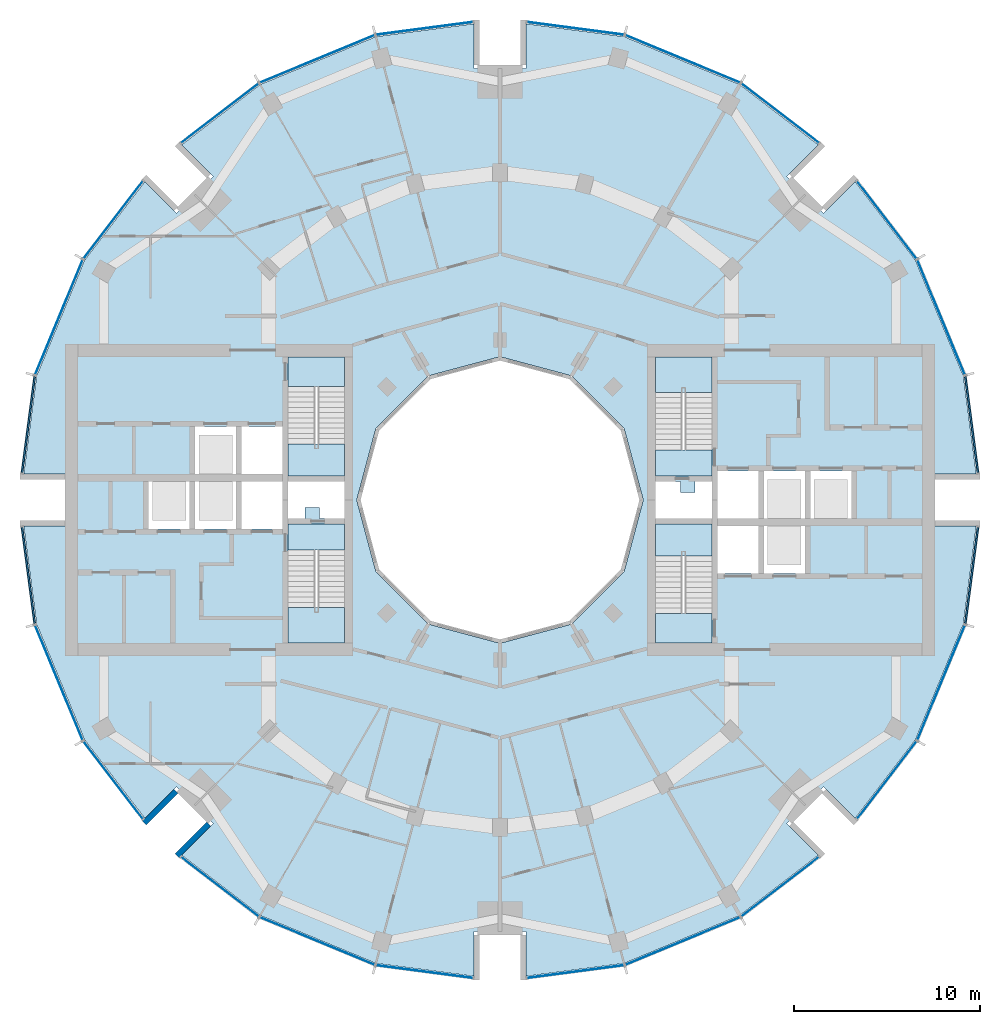
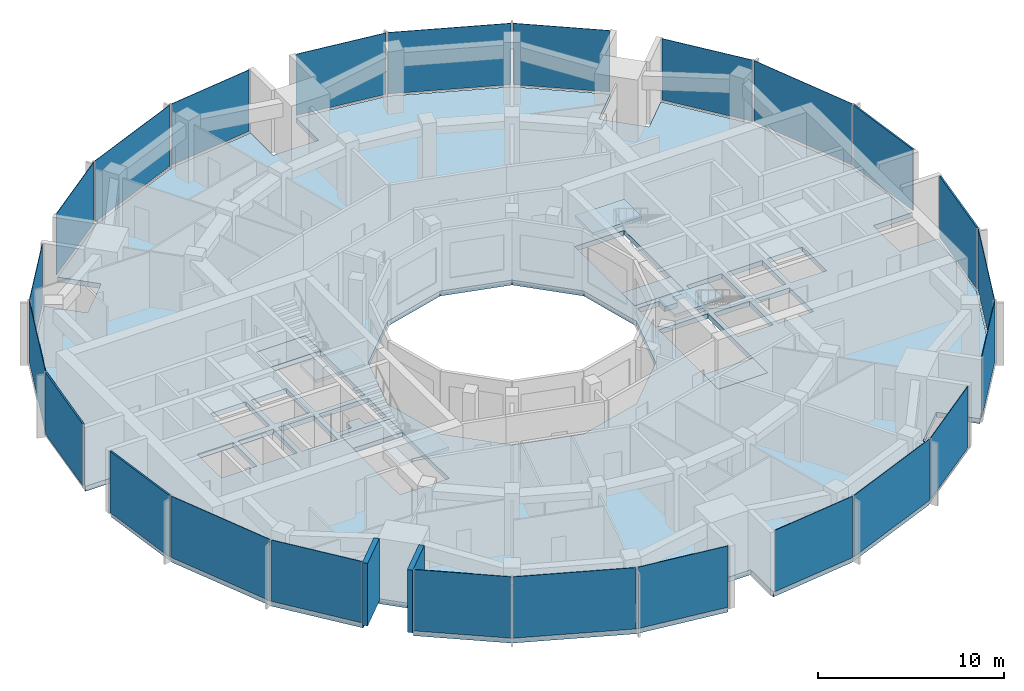
# One storey, part 7 of 15: 24 plates, 9 slabs, 2 walls, 28 elements without a shape of their own.
"""IFC4 building model written with IfcOpenShell, lengths in metres."""

from ifc_helpers import new_model, si_unit, direction, frame, frame_2d, origin, origin_2d, place, context, subcontext, project, spatial, polyline, rectangle, outline, extrude, material, layer, layer_set, type_object, element, aggregate, save


model = new_model("IFC4")

# Units and contexts
model_context = context("Model", 3, precision=1e-05, world=origin(), true_north=direction((0.0, 1.0)))
body_context = subcontext(model_context, "Body", "Model", "MODEL_VIEW")
ifc_project = project(units=[si_unit("LENGTHUNIT", "METRE"), si_unit("AREAUNIT", "SQUARE_METRE"), si_unit("VOLUMEUNIT", "CUBIC_METRE"), si_unit("PLANEANGLEUNIT", "RADIAN"), si_unit("MASSUNIT", "GRAM", prefix="KILO")], contexts=[model_context])

# Site, building, storey
site_placement = place(None, origin())
site = spatial("IfcSite", under=ifc_project, at=site_placement, CompositionType="ELEMENT")
building_placement = place(site_placement, origin())
building = spatial("IfcBuilding", under=site, at=building_placement, Name="Torre Brocal", CompositionType="ELEMENT")
storey_placement = place(building_placement, frame((0.0, 0.0, 161.800048828125)))
storey = spatial("IfcBuildingStorey", under=building, at=storey_placement, Name="L37", CompositionType="ELEMENT", Elevation=161.800048828125)

# Curtain wall, plate
ifc_material_1 = material(Name="Aluminium and glass", Category="aluminium")
ifc_layer_1 = layer(ifc_material_1, 0.199951171875)
ifc_layer_set_1 = layer_set([ifc_layer_1], Name="Aluminium and glass")
curtain_wall_type_1 = type_object("IfcCurtainWallType", Name="CW-1 CURTAIN WALL 4100 HIGH", PredefinedType="NOTDEFINED", material=ifc_layer_set_1)
curtain_wall_1_placement = place(storey_placement, origin())
curtain_wall_1 = element("IfcCurtainWall", 1, at=curtain_wall_1_placement, inside=storey, type_object=curtain_wall_type_1, Name="CW-1 RUN 2", PredefinedType="NOTDEFINED")
ifc_material_2 = material(Name="Glass, dark tinted laminated", Category="glass")
ifc_layer_2 = layer(ifc_material_2, 0.031982421875)
ifc_layer_set_2 = layer_set([ifc_layer_2], Name="Glass, dark tinted laminated")
plate_type_1 = type_object("IfcPlateType", Name="CW-1 GLASS PANEL 32", PredefinedType="CURTAIN_PANEL", material=ifc_layer_set_2)
plate_1_placement = place(storey_placement, frame((103.722900390625, 84.826416015625, 0.079833984375), z_axis=(0.0, 0.0, 1.0), x_axis=(-0.382683432333, 0.923879532525, 0.0)))
plate_1 = element("IfcPlate", 2, at=plate_1_placement, type_object=plate_type_1, Name="CW1-4 panel 1.1", PredefinedType="CURTAIN_PANEL", context=body_context, shape_type="SweptSolid", body=[
    extrude(rectangle(XDim=6.64111328125, YDim=0.031982421875, at=origin_2d()), origin(), (0.0, 0.0, 1.0), 4.02001953125),
])
aggregate(curtain_wall_1, [plate_1])

curtain_wall_2_placement = place(storey_placement, origin())
curtain_wall_2 = element("IfcCurtainWall", 3, at=curtain_wall_2_placement, inside=storey, type_object=curtain_wall_type_1, Name="CW-1 RUN 3", PredefinedType="NOTDEFINED")
plate_2_placement = place(storey_placement, frame((100.80126953125, 90.0712890625, 0.079833984375), z_axis=(0.0, 0.0, 1.0), x_axis=(-0.60876142905, 0.793353340259, 0.0)))
plate_2 = element("IfcPlate", 4, at=plate_2_placement, type_object=plate_type_1, Name="CW1-4 panel 1.1", PredefinedType="CURTAIN_PANEL", context=body_context, shape_type="SweptSolid", body=[
    extrude(rectangle(XDim=5.22900390625, YDim=0.031982421875, at=origin_2d()), origin(), (0.0, 0.0, 1.0), 4.02001953125),
])
aggregate(curtain_wall_2, [plate_2])

curtain_wall_3_placement = place(storey_placement, origin())
curtain_wall_3 = element("IfcCurtainWall", 5, at=curtain_wall_3_placement, inside=storey, type_object=curtain_wall_type_1, Name="CW-1 RUN 4", PredefinedType="NOTDEFINED")
plate_3_placement = place(storey_placement, frame((95.0712890625, 95.80126953125, 0.079833984375), z_axis=(0.0, 0.0, 1.0), x_axis=(-0.793353340259, 0.60876142905, 0.0)))
plate_3 = element("IfcPlate", 6, at=plate_3_placement, type_object=plate_type_1, Name="CW1-4 panel 1.1", PredefinedType="CURTAIN_PANEL", context=body_context, shape_type="SweptSolid", body=[
    extrude(rectangle(XDim=5.22900390625, YDim=0.031982421875, at=origin_2d()), origin(), (0.0, 0.0, 1.0), 4.02001953125),
])
aggregate(curtain_wall_3, [plate_3])

curtain_wall_4_placement = place(storey_placement, origin())
curtain_wall_4 = element("IfcCurtainWall", 7, at=curtain_wall_4_placement, inside=storey, type_object=curtain_wall_type_1, Name="CW-1 RUN 5", PredefinedType="NOTDEFINED")
plate_4_placement = place(storey_placement, frame((89.826416015625, 98.722900390625, 0.079833984375), z_axis=(0.0, 0.0, 1.0), x_axis=(-0.923879532525, 0.382683432333, 0.0)))
plate_4 = element("IfcPlate", 8, at=plate_4_placement, type_object=plate_type_1, Name="CW1-4 panel 1.1", PredefinedType="CURTAIN_PANEL", context=body_context, shape_type="SweptSolid", body=[
    extrude(rectangle(XDim=6.64111328125, YDim=0.031982421875, at=origin_2d()), origin(), (0.0, 0.0, 1.0), 4.02001953125),
])
aggregate(curtain_wall_4, [plate_4])

curtain_wall_5_placement = place(storey_placement, origin())
curtain_wall_5 = element("IfcCurtainWall", 9, at=curtain_wall_5_placement, inside=storey, type_object=curtain_wall_type_1, Name="CW-1 RUN 6", PredefinedType="NOTDEFINED")
plate_5_placement = place(storey_placement, frame((84.051513671875, 100.36572265625, 0.079833984375), z_axis=(0.0, 0.0, 1.0), x_axis=(-0.991444861374, 0.13052619222, 0.0)))
plate_5 = element("IfcPlate", 10, at=plate_5_placement, type_object=plate_type_1, Name="CW1-4 panel 1.1", PredefinedType="CURTAIN_PANEL", context=body_context, shape_type="SweptSolid", body=[
    extrude(rectangle(XDim=5.22900390625, YDim=0.031982421875, at=origin_2d()), origin(), (0.0, 0.0, 1.0), 4.02001953125),
])
aggregate(curtain_wall_5, [plate_5])

curtain_wall_6_placement = place(storey_placement, origin())
curtain_wall_6 = element("IfcCurtainWall", 11, at=curtain_wall_6_placement, inside=storey, type_object=curtain_wall_type_1, Name="CW-1 RUN 7", PredefinedType="NOTDEFINED")
plate_6_placement = place(storey_placement, frame((75.948486328125, 100.36572265625, 0.079833984375), z_axis=(0.0, 0.0, 1.0), x_axis=(-0.991444861374, -0.13052619222, 0.0)))
plate_6 = element("IfcPlate", 12, at=plate_6_placement, type_object=plate_type_1, Name="CW1-4 panel 1.1", PredefinedType="CURTAIN_PANEL", context=body_context, shape_type="SweptSolid", body=[
    extrude(rectangle(XDim=5.22900390625, YDim=0.031982421875, at=origin_2d()), origin(), (0.0, 0.0, 1.0), 4.02001953125),
])
aggregate(curtain_wall_6, [plate_6])

curtain_wall_7_placement = place(storey_placement, origin())
curtain_wall_7 = element("IfcCurtainWall", 13, at=curtain_wall_7_placement, inside=storey, type_object=curtain_wall_type_1, Name="CW-1 RUN 8", PredefinedType="NOTDEFINED")
plate_7_placement = place(storey_placement, frame((70.173583984375, 98.722900390625, 0.079833984375), z_axis=(0.0, 0.0, 1.0), x_axis=(-0.923879532525, -0.382683432333, 0.0)))
plate_7 = element("IfcPlate", 14, at=plate_7_placement, type_object=plate_type_1, Name="CW1-4 panel 1.1", PredefinedType="CURTAIN_PANEL", context=body_context, shape_type="SweptSolid", body=[
    extrude(rectangle(XDim=6.64111328125, YDim=0.031982421875, at=origin_2d()), origin(), (0.0, 0.0, 1.0), 4.02001953125),
])
aggregate(curtain_wall_7, [plate_7])

curtain_wall_8_placement = place(storey_placement, origin())
curtain_wall_8 = element("IfcCurtainWall", 15, at=curtain_wall_8_placement, inside=storey, type_object=curtain_wall_type_1, Name="CW-1 RUN 9", PredefinedType="NOTDEFINED")
plate_8_placement = place(storey_placement, frame((64.9287109375, 95.80126953125, 0.079833984375), z_axis=(0.0, 0.0, 1.0), x_axis=(-0.793353340259, -0.60876142905, 0.0)))
plate_8 = element("IfcPlate", 16, at=plate_8_placement, type_object=plate_type_1, Name="CW1-4 panel 1.1", PredefinedType="CURTAIN_PANEL", context=body_context, shape_type="SweptSolid", body=[
    extrude(rectangle(XDim=5.22900390625, YDim=0.031982421875, at=origin_2d()), origin(), (0.0, 0.0, 1.0), 4.02001953125),
])
aggregate(curtain_wall_8, [plate_8])

curtain_wall_9_placement = place(storey_placement, origin())
curtain_wall_9 = element("IfcCurtainWall", 17, at=curtain_wall_9_placement, inside=storey, type_object=curtain_wall_type_1, Name="CW-1 RUN 10", PredefinedType="NOTDEFINED")
plate_9_placement = place(storey_placement, frame((59.19873046875, 90.0712890625, 0.079833984375), z_axis=(0.0, 0.0, 1.0), x_axis=(-0.60876142905, -0.793353340259, 0.0)))
plate_9 = element("IfcPlate", 18, at=plate_9_placement, type_object=plate_type_1, Name="CW1-4 panel 1.1", PredefinedType="CURTAIN_PANEL", context=body_context, shape_type="SweptSolid", body=[
    extrude(rectangle(XDim=5.22900390625, YDim=0.031982421875, at=origin_2d()), origin(), (0.0, 0.0, 1.0), 4.02001953125),
])
aggregate(curtain_wall_9, [plate_9])

curtain_wall_10_placement = place(storey_placement, origin())
curtain_wall_10 = element("IfcCurtainWall", 19, at=curtain_wall_10_placement, inside=storey, type_object=curtain_wall_type_1, Name="CW-1 RUN 11", PredefinedType="NOTDEFINED")
plate_10_placement = place(storey_placement, frame((56.277099609375, 84.826416015625, 0.079833984375), z_axis=(0.0, 0.0, 1.0), x_axis=(-0.382683432333, -0.923879532525, 0.0)))
plate_10 = element("IfcPlate", 20, at=plate_10_placement, type_object=plate_type_1, Name="CW1-4 panel 1.1", PredefinedType="CURTAIN_PANEL", context=body_context, shape_type="SweptSolid", body=[
    extrude(rectangle(XDim=6.64111328125, YDim=0.031982421875, at=origin_2d()), origin(), (0.0, 0.0, 1.0), 4.02001953125),
])
aggregate(curtain_wall_10, [plate_10])

curtain_wall_11_placement = place(storey_placement, origin())
curtain_wall_11 = element("IfcCurtainWall", 21, at=curtain_wall_11_placement, inside=storey, type_object=curtain_wall_type_1, Name="CW-1 RUN 14", PredefinedType="NOTDEFINED")
plate_11_placement = place(storey_placement, frame((56.277099609375, 65.173583984375, 0.079833984375), z_axis=(0.0, 0.0, 1.0), x_axis=(0.382683432333, -0.923879532525, 0.0)))
plate_11 = element("IfcPlate", 22, at=plate_11_placement, type_object=plate_type_1, Name="CW1-4 panel 1.1", PredefinedType="CURTAIN_PANEL", context=body_context, shape_type="SweptSolid", body=[
    extrude(rectangle(XDim=6.64111328125, YDim=0.031982421875, at=origin_2d()), origin(), (0.0, 0.0, 1.0), 4.02001953125),
])
aggregate(curtain_wall_11, [plate_11])

curtain_wall_12_placement = place(storey_placement, origin())
curtain_wall_12 = element("IfcCurtainWall", 23, at=curtain_wall_12_placement, inside=storey, type_object=curtain_wall_type_1, Name="CW-1 RUN 15", PredefinedType="NOTDEFINED")
plate_12_placement = place(storey_placement, frame((59.19873046875, 59.9287109375, 0.079833984375), z_axis=(0.0, 0.0, 1.0), x_axis=(0.60876142905, -0.793353340259, 0.0)))
plate_12 = element("IfcPlate", 24, at=plate_12_placement, type_object=plate_type_1, Name="CW1-4 panel 1.1", PredefinedType="CURTAIN_PANEL", context=body_context, shape_type="SweptSolid", body=[
    extrude(rectangle(XDim=5.22900390625, YDim=0.031982421875, at=origin_2d()), origin(), (0.0, 0.0, 1.0), 4.02001953125),
])
aggregate(curtain_wall_12, [plate_12])

curtain_wall_13_placement = place(storey_placement, origin())
curtain_wall_13 = element("IfcCurtainWall", 25, at=curtain_wall_13_placement, inside=storey, type_object=curtain_wall_type_1, Name="CW-1 RUN 16", PredefinedType="NOTDEFINED")
plate_13_placement = place(storey_placement, frame((64.9287109375, 54.19873046875, 0.079833984375), z_axis=(0.0, 0.0, 1.0), x_axis=(0.793353340259, -0.60876142905, 0.0)))
plate_13 = element("IfcPlate", 26, at=plate_13_placement, type_object=plate_type_1, Name="CW1-4 panel 1.1", PredefinedType="CURTAIN_PANEL", context=body_context, shape_type="SweptSolid", body=[
    extrude(rectangle(XDim=5.22900390625, YDim=0.031982421875, at=origin_2d()), origin(), (0.0, 0.0, 1.0), 4.02001953125),
])
aggregate(curtain_wall_13, [plate_13])

curtain_wall_14_placement = place(storey_placement, origin())
curtain_wall_14 = element("IfcCurtainWall", 27, at=curtain_wall_14_placement, inside=storey, type_object=curtain_wall_type_1, Name="CW-1 RUN 17", PredefinedType="NOTDEFINED")
plate_14_placement = place(storey_placement, frame((70.173583984375, 51.277099609375, 0.079833984375), z_axis=(0.0, 0.0, 1.0), x_axis=(0.923879532525, -0.382683432333, 0.0)))
plate_14 = element("IfcPlate", 28, at=plate_14_placement, type_object=plate_type_1, Name="CW1-4 panel 1.1", PredefinedType="CURTAIN_PANEL", context=body_context, shape_type="SweptSolid", body=[
    extrude(rectangle(XDim=6.64111328125, YDim=0.031982421875, at=origin_2d()), origin(), (0.0, 0.0, 1.0), 4.02001953125),
])
aggregate(curtain_wall_14, [plate_14])

curtain_wall_15_placement = place(storey_placement, origin())
curtain_wall_15 = element("IfcCurtainWall", 29, at=curtain_wall_15_placement, inside=storey, type_object=curtain_wall_type_1, Name="CW-1 RUN 18", PredefinedType="NOTDEFINED")
plate_15_placement = place(storey_placement, frame((75.948486328125, 49.63427734375, 0.079833984375), z_axis=(0.0, 0.0, 1.0), x_axis=(0.991444861374, -0.13052619222, 0.0)))
plate_15 = element("IfcPlate", 30, at=plate_15_placement, type_object=plate_type_1, Name="CW1-4 panel 1.1", PredefinedType="CURTAIN_PANEL", context=body_context, shape_type="SweptSolid", body=[
    extrude(rectangle(XDim=5.22900390625, YDim=0.031982421875, at=origin_2d()), origin(), (0.0, 0.0, 1.0), 4.02001953125),
])
aggregate(curtain_wall_15, [plate_15])

curtain_wall_16_placement = place(storey_placement, origin())
curtain_wall_16 = element("IfcCurtainWall", 31, at=curtain_wall_16_placement, inside=storey, type_object=curtain_wall_type_1, Name="CW-1 RUN 19", PredefinedType="NOTDEFINED")
plate_16_placement = place(storey_placement, frame((84.051513671875, 49.63427734375, 0.079833984375), z_axis=(0.0, 0.0, 1.0), x_axis=(0.991444861374, 0.13052619222, 0.0)))
plate_16 = element("IfcPlate", 32, at=plate_16_placement, type_object=plate_type_1, Name="CW1-4 panel 1.1", PredefinedType="CURTAIN_PANEL", context=body_context, shape_type="SweptSolid", body=[
    extrude(rectangle(XDim=5.22900390625, YDim=0.031982421875, at=origin_2d()), origin(), (0.0, 0.0, 1.0), 4.02001953125),
])
aggregate(curtain_wall_16, [plate_16])

curtain_wall_17_placement = place(storey_placement, origin())
curtain_wall_17 = element("IfcCurtainWall", 33, at=curtain_wall_17_placement, inside=storey, type_object=curtain_wall_type_1, Name="CW-1 RUN 20", PredefinedType="NOTDEFINED")
plate_17_placement = place(storey_placement, frame((89.826416015625, 51.277099609375, 0.079833984375), z_axis=(0.0, 0.0, 1.0), x_axis=(0.923879532525, 0.382683432333, 0.0)))
plate_17 = element("IfcPlate", 34, at=plate_17_placement, type_object=plate_type_1, Name="CW1-4 panel 1.1", PredefinedType="CURTAIN_PANEL", context=body_context, shape_type="SweptSolid", body=[
    extrude(rectangle(XDim=6.64111328125, YDim=0.031982421875, at=origin_2d()), origin(), (0.0, 0.0, 1.0), 4.02001953125),
])
aggregate(curtain_wall_17, [plate_17])

curtain_wall_18_placement = place(storey_placement, origin())
curtain_wall_18 = element("IfcCurtainWall", 35, at=curtain_wall_18_placement, inside=storey, type_object=curtain_wall_type_1, Name="CW-1 RUN 21", PredefinedType="NOTDEFINED")
plate_18_placement = place(storey_placement, frame((95.0712890625, 54.19873046875, 0.079833984375), z_axis=(0.0, 0.0, 1.0), x_axis=(0.793353340259, 0.60876142905, 0.0)))
plate_18 = element("IfcPlate", 36, at=plate_18_placement, type_object=plate_type_1, Name="CW1-4 panel 1.1", PredefinedType="CURTAIN_PANEL", context=body_context, shape_type="SweptSolid", body=[
    extrude(rectangle(XDim=5.22900390625, YDim=0.031982421875, at=origin_2d()), origin(), (0.0, 0.0, 1.0), 4.02001953125),
])
aggregate(curtain_wall_18, [plate_18])

curtain_wall_19_placement = place(storey_placement, origin())
curtain_wall_19 = element("IfcCurtainWall", 37, at=curtain_wall_19_placement, inside=storey, type_object=curtain_wall_type_1, Name="CW-1 RUN 22", PredefinedType="NOTDEFINED")
plate_19_placement = place(storey_placement, frame((100.80126953125, 59.9287109375, 0.079833984375), z_axis=(0.0, 0.0, 1.0), x_axis=(0.60876142905, 0.793353340259, 0.0)))
plate_19 = element("IfcPlate", 38, at=plate_19_placement, type_object=plate_type_1, Name="CW1-4 panel 1.1", PredefinedType="CURTAIN_PANEL", context=body_context, shape_type="SweptSolid", body=[
    extrude(rectangle(XDim=5.22900390625, YDim=0.031982421875, at=origin_2d()), origin(), (0.0, 0.0, 1.0), 4.02001953125),
])
aggregate(curtain_wall_19, [plate_19])

curtain_wall_20_placement = place(storey_placement, origin())
curtain_wall_20 = element("IfcCurtainWall", 39, at=curtain_wall_20_placement, inside=storey, type_object=curtain_wall_type_1, Name="CW-1 RUN 23", PredefinedType="NOTDEFINED")
plate_20_placement = place(storey_placement, frame((103.722900390625, 65.173583984375, 0.079833984375), z_axis=(0.0, 0.0, 1.0), x_axis=(0.382683432333, 0.923879532525, 0.0)))
plate_20 = element("IfcPlate", 40, at=plate_20_placement, type_object=plate_type_1, Name="CW1-4 panel 1.1", PredefinedType="CURTAIN_PANEL", context=body_context, shape_type="SweptSolid", body=[
    extrude(rectangle(XDim=6.64111328125, YDim=0.031982421875, at=origin_2d()), origin(), (0.0, 0.0, 1.0), 4.02001953125),
])
aggregate(curtain_wall_20, [plate_20])

ifc_material_3 = material(Name="Aluminium and glass", Category="aluminium")
ifc_layer_3 = layer(ifc_material_3, 0.199951171875)
ifc_layer_set_3 = layer_set([ifc_layer_3], Name="Aluminium and glass")
curtain_wall_type_2 = type_object("IfcCurtainWallType", Name="CW-1B CURTAIN WALL 4100 HIGH", PredefinedType="NOTDEFINED", material=ifc_layer_set_3)
curtain_wall_21_placement = place(storey_placement, origin())
curtain_wall_21 = element("IfcCurtainWall", 41, at=curtain_wall_21_placement, inside=storey, type_object=curtain_wall_type_2, Name="CW-1B RUN 1", PredefinedType="NOTDEFINED")
ifc_material_4 = material(Name="Aluminium composite panel", Category="aluminium")
ifc_layer_4 = layer(ifc_material_4, 0.10009765625)
ifc_layer_set_4 = layer_set([ifc_layer_4], Name="Aluminium composite panel")
plate_type_2 = type_object("IfcPlateType", Name="CW-1B OPAQUE PANEL 100", PredefinedType="CURTAIN_PANEL", material=ifc_layer_set_4)
plate_21_placement = place(storey_placement, frame((105.36572265625, 79.051513671875, 0.079833984375), z_axis=(0.0, 0.0, 1.0), x_axis=(-0.13052619222, 0.991444861374, 0.0)))
plate_21 = element("IfcPlate", 42, at=plate_21_placement, type_object=plate_type_2, Name="CW1B-4 panel 1.1", PredefinedType="CURTAIN_PANEL", context=body_context, shape_type="SweptSolid", body=[
    extrude(rectangle(XDim=5.22900390625, YDim=0.10009765625, at=origin_2d()), origin(), (0.0, 0.0, 1.0), 4.02001953125),
])
aggregate(curtain_wall_21, [plate_21])

curtain_wall_22_placement = place(storey_placement, origin())
curtain_wall_22 = element("IfcCurtainWall", 43, at=curtain_wall_22_placement, inside=storey, type_object=curtain_wall_type_2, Name="CW-1B RUN 12", PredefinedType="NOTDEFINED")
plate_22_placement = place(storey_placement, frame((54.63427734375, 79.051513671875, 0.079833984375), z_axis=(0.0, 0.0, 1.0), x_axis=(-0.13052619222, -0.991444861374, 0.0)))
plate_22 = element("IfcPlate", 44, at=plate_22_placement, type_object=plate_type_2, Name="CW1B-4 panel 1.1", PredefinedType="CURTAIN_PANEL", context=body_context, shape_type="SweptSolid", body=[
    extrude(rectangle(XDim=5.22900390625, YDim=0.10009765625, at=origin_2d()), origin(), (0.0, 0.0, 1.0), 4.02001953125),
])
aggregate(curtain_wall_22, [plate_22])

curtain_wall_23_placement = place(storey_placement, origin())
curtain_wall_23 = element("IfcCurtainWall", 45, at=curtain_wall_23_placement, inside=storey, type_object=curtain_wall_type_2, Name="CW-1B RUN 13", PredefinedType="NOTDEFINED")
plate_23_placement = place(storey_placement, frame((54.63427734375, 70.948486328125, 0.079833984375), z_axis=(0.0, 0.0, 1.0), x_axis=(0.13052619222, -0.991444861374, 0.0)))
plate_23 = element("IfcPlate", 46, at=plate_23_placement, type_object=plate_type_2, Name="CW1B-4 panel 1.1", PredefinedType="CURTAIN_PANEL", context=body_context, shape_type="SweptSolid", body=[
    extrude(rectangle(XDim=5.22900390625, YDim=0.10009765625, at=origin_2d()), origin(), (0.0, 0.0, 1.0), 4.02001953125),
])
aggregate(curtain_wall_23, [plate_23])

curtain_wall_24_placement = place(storey_placement, origin())
curtain_wall_24 = element("IfcCurtainWall", 47, at=curtain_wall_24_placement, inside=storey, type_object=curtain_wall_type_2, Name="CW-1B RUN 24", PredefinedType="NOTDEFINED")
plate_24_placement = place(storey_placement, frame((105.36572265625, 70.948486328125, 0.079833984375), z_axis=(0.0, 0.0, 1.0), x_axis=(0.13052619222, 0.991444861374, 0.0)))
plate_24 = element("IfcPlate", 48, at=plate_24_placement, type_object=plate_type_2, Name="CW1B-4 panel 1.1", PredefinedType="CURTAIN_PANEL", context=body_context, shape_type="SweptSolid", body=[
    extrude(rectangle(XDim=5.22900390625, YDim=0.10009765625, at=origin_2d()), origin(), (0.0, 0.0, 1.0), 4.02001953125),
])
aggregate(curtain_wall_24, [plate_24])

# Stair, slab
ifc_material_5 = material(Name="Concrete C50", Category="concrete")
stair_type = type_object("IfcStairType", Name="EXIT STAIR", PredefinedType="HALF_TURN_STAIR", material=ifc_material_5)
stair_1_placement = place(storey_placement, origin())
stair_1 = element("IfcStair", 49, at=stair_1_placement, inside=storey, type_object=stair_type, Name="EXIT STAIR ST1", PredefinedType="HALF_TURN_STAIR")
ifc_material_6 = material(Name="Concrete C50", Category="concrete")
ifc_layer_5 = layer(ifc_material_6, 0.320068359375)
ifc_layer_set_5 = layer_set([ifc_layer_5], Name="Concrete C50")
slab_type_1 = type_object("IfcSlabType", Name="FLOOR LANDING 320", PredefinedType="LANDING", material=ifc_layer_set_5)
slab_1_placement = place(storey_placement, frame((0.0, 0.0, -0.320068359375)))
slab_1 = element("IfcSlab", 50, at=slab_1_placement, type_object=slab_type_1, Name="ST1 landing 1", PredefinedType="LANDING", context=body_context, shape_type="SweptSolid", body=[
    extrude(outline(polyline([(88.35009765625, 76.300048828125), (91.39990234375, 76.300048828125), (91.39990234375, 77.699951171875), (88.35009765625, 77.699951171875), (88.35009765625, 76.300048828125)])), origin(), (0.0, 0.0, 1.0), 0.320068359375),
])

stair_2_placement = place(storey_placement, origin())
stair_2 = element("IfcStair", 51, at=stair_2_placement, inside=storey, type_object=stair_type, Name="EXIT STAIR ST2", PredefinedType="HALF_TURN_STAIR")
slab_2_placement = place(storey_placement, frame((0.0, 0.0, -0.320068359375)))
slab_2 = element("IfcSlab", 52, at=slab_2_placement, type_object=slab_type_1, Name="ST2 landing 1", PredefinedType="LANDING", context=body_context, shape_type="SweptSolid", body=[
    extrude(outline(polyline([(88.35009765625, 67.300048828125), (91.39990234375, 67.300048828125), (91.39990234375, 68.89990234375), (88.35009765625, 68.89990234375), (88.35009765625, 67.300048828125)])), origin(), (0.0, 0.0, 1.0), 0.320068359375),
])

stair_3_placement = place(storey_placement, origin())
stair_3 = element("IfcStair", 53, at=stair_3_placement, inside=storey, type_object=stair_type, Name="EXIT STAIR ST3", PredefinedType="HALF_TURN_STAIR")
slab_3_placement = place(storey_placement, frame((0.0, 0.0, -0.320068359375)))
slab_3 = element("IfcSlab", 54, at=slab_3_placement, type_object=slab_type_1, Name="ST3 landing 1", PredefinedType="LANDING", context=body_context, shape_type="SweptSolid", body=[
    extrude(outline(polyline([(71.64990234375, 73.699951171875), (68.60009765625, 73.699951171875), (68.60009765625, 72.300048828125), (71.64990234375, 72.300048828125), (71.64990234375, 73.699951171875)])), origin(), (0.0, 0.0, 1.0), 0.320068359375),
])

stair_4_placement = place(storey_placement, origin())
stair_4 = element("IfcStair", 55, at=stair_4_placement, inside=storey, type_object=stair_type, Name="EXIT STAIR ST4", PredefinedType="HALF_TURN_STAIR")
slab_4_placement = place(storey_placement, frame((0.0, 0.0, -0.320068359375)))
slab_4 = element("IfcSlab", 56, at=slab_4_placement, type_object=slab_type_1, Name="ST4 landing 1", PredefinedType="LANDING", context=body_context, shape_type="SweptSolid", body=[
    extrude(outline(polyline([(71.64990234375, 82.699951171875), (68.60009765625, 82.699951171875), (68.60009765625, 81.10009765625), (71.64990234375, 81.10009765625), (71.64990234375, 82.699951171875)])), origin(), (0.0, 0.0, 1.0), 0.320068359375),
])

# Slab
ifc_material_7 = material(Name="Concrete C50", Category="concrete")
ifc_layer_6 = layer(ifc_material_7, 0.199951171875)
ifc_layer_set_6 = layer_set([ifc_layer_6], Name="Concrete C50")
slab_type_2 = type_object("IfcSlabType", Name="MID LANDING +2050", PredefinedType="LANDING", material=ifc_layer_set_6)
slab_5_placement = place(storey_placement, frame((0.0, 0.0, 1.849853515625)))
slab_5 = element("IfcSlab", 57, at=slab_5_placement, type_object=slab_type_2, Name="ST1 landing 2", PredefinedType="LANDING", context=body_context, shape_type="SweptSolid", body=[
    extrude(outline(polyline([(88.35009765625, 80.780029296875), (91.39990234375, 80.780029296875), (91.39990234375, 82.699951171875), (88.35009765625, 82.699951171875), (88.35009765625, 80.780029296875)])), origin(), (0.0, 0.0, 1.0), 0.2001953125),
])

aggregate(stair_1, [slab_1, slab_5])

slab_6_placement = place(storey_placement, frame((0.0, 0.0, 1.849853515625)))
slab_6 = element("IfcSlab", 58, at=slab_6_placement, type_object=slab_type_2, Name="ST2 landing 2", PredefinedType="LANDING", context=body_context, shape_type="SweptSolid", body=[
    extrude(outline(polyline([(88.35009765625, 71.97998046875), (91.39990234375, 71.97998046875), (91.39990234375, 73.699951171875), (88.35009765625, 73.699951171875), (88.35009765625, 71.97998046875)])), origin(), (0.0, 0.0, 1.0), 0.2001953125),
])

aggregate(stair_2, [slab_2, slab_6])

slab_7_placement = place(storey_placement, frame((0.0, 0.0, 1.849853515625)))
slab_7 = element("IfcSlab", 59, at=slab_7_placement, type_object=slab_type_2, Name="ST3 landing 2", PredefinedType="LANDING", context=body_context, shape_type="SweptSolid", body=[
    extrude(outline(polyline([(71.64990234375, 69.219970703125), (68.60009765625, 69.219970703125), (68.60009765625, 67.300048828125), (71.64990234375, 67.300048828125), (71.64990234375, 69.219970703125)])), origin(), (0.0, 0.0, 1.0), 0.2001953125),
])

aggregate(stair_3, [slab_3, slab_7])

slab_8_placement = place(storey_placement, frame((0.0, 0.0, 1.849853515625)))
slab_8 = element("IfcSlab", 60, at=slab_8_placement, type_object=slab_type_2, Name="ST4 landing 2", PredefinedType="LANDING", context=body_context, shape_type="SweptSolid", body=[
    extrude(outline(polyline([(71.64990234375, 78.02001953125), (68.60009765625, 78.02001953125), (68.60009765625, 76.300048828125), (71.64990234375, 76.300048828125), (71.64990234375, 78.02001953125)])), origin(), (0.0, 0.0, 1.0), 0.2001953125),
])

aggregate(stair_4, [slab_4, slab_8])

ifc_material_8 = material(Name="Concrete C45", Category="concrete")
ifc_layer_7 = layer(ifc_material_8, 0.320068359375)
ifc_layer_set_7 = layer_set([ifc_layer_7], Name="Concrete C45")
slab_type_3 = type_object("IfcSlabType", Name="PT FLOOR SLAB 320 C45", PredefinedType="FLOOR", material=ifc_layer_set_7)
slab_9_placement = place(storey_placement, frame((0.0, 0.0, -0.320068359375)))
element("IfcSlab", 61, at=slab_9_placement, inside=storey, type_object=slab_type_3, Name="Slab ST-05", PredefinedType="FLOOR", context=body_context, shape_type="SweptSolid", body=[
    extrude(outline(polyline([(103.199951171875, 76.39990234375), (103.199951171875, 73.60009765625), (105.614013671875, 73.60009765625), (104.919189453125, 68.322998046875), (102.342041015625, 62.100830078125), (99.101806640625, 57.878173828125), (97.394775390625, 59.5849609375), (95.4150390625, 57.605224609375), (97.121826171875, 55.898193359375), (92.899169921875, 52.657958984375), (86.677001953125, 50.080810546875), (81.39990234375, 49.385986328125), (81.39990234375, 51.800048828125), (78.60009765625, 51.800048828125), (78.60009765625, 49.385986328125), (73.322998046875, 50.080810546875), (67.100830078125, 52.657958984375), (62.878173828125, 55.898193359375), (64.5849609375, 57.605224609375), (62.605224609375, 59.5849609375), (60.898193359375, 57.878173828125), (57.657958984375, 62.100830078125), (55.080810546875, 68.322998046875), (54.385986328125, 73.60009765625), (56.800048828125, 73.60009765625), (56.800048828125, 76.39990234375), (54.385986328125, 76.39990234375), (55.080810546875, 81.677001953125), (57.657958984375, 87.899169921875), (60.898193359375, 92.121826171875), (62.605224609375, 90.4150390625), (64.5849609375, 92.394775390625), (62.878173828125, 94.101806640625), (67.100830078125, 97.342041015625), (73.322998046875, 99.919189453125), (78.60009765625, 100.614013671875), (78.60009765625, 98.199951171875), (81.39990234375, 98.199951171875), (81.39990234375, 100.614013671875), (86.677001953125, 99.919189453125), (92.899169921875, 97.342041015625), (97.121826171875, 94.101806640625), (95.4150390625, 92.394775390625), (97.394775390625, 90.4150390625), (99.101806640625, 92.121826171875), (102.342041015625, 87.899169921875), (104.919189453125, 81.677001953125), (105.614013671875, 76.39990234375), (103.199951171875, 76.39990234375)]), holes=[polyline([(98.89990234375, 76.550048828125), (96.699951171875, 76.550048828125), (96.699951171875, 74.0), (98.89990234375, 74.0), (98.89990234375, 76.550048828125)]), polyline([(96.39990234375, 76.550048828125), (94.199951171875, 76.550048828125), (94.199951171875, 74.0), (96.39990234375, 74.0), (96.39990234375, 76.550048828125)]), polyline([(96.39990234375, 73.60009765625), (94.199951171875, 73.60009765625), (94.199951171875, 71.050048828125), (96.39990234375, 71.050048828125), (96.39990234375, 73.60009765625)]), polyline([(93.89990234375, 76.550048828125), (91.699951171875, 76.550048828125), (91.699951171875, 74.0), (93.89990234375, 74.0), (93.89990234375, 76.550048828125)]), polyline([(93.89990234375, 73.60009765625), (91.699951171875, 73.60009765625), (91.699951171875, 71.050048828125), (93.89990234375, 71.050048828125), (93.89990234375, 73.60009765625)]), polyline([(89.699951171875, 76.0), (88.35009765625, 76.0), (88.35009765625, 74.0), (91.39990234375, 74.0), (91.39990234375, 76.0), (90.5, 76.0), (90.5, 75.39990234375), (89.699951171875, 75.39990234375), (89.699951171875, 76.0)]), polyline([(91.39990234375, 82.699951171875), (88.35009765625, 82.699951171875), (88.35009765625, 76.300048828125), (91.39990234375, 76.300048828125), (91.39990234375, 82.699951171875)]), polyline([(91.39990234375, 73.699951171875), (88.35009765625, 73.699951171875), (88.35009765625, 67.300048828125), (91.39990234375, 67.300048828125), (91.39990234375, 73.699951171875)]), polyline([(80.0, 82.70703125), (76.146484375, 81.674560546875), (73.325439453125, 78.853515625), (72.29296875, 75.0), (73.325439453125, 71.146484375), (76.146484375, 68.325439453125), (80.0, 67.29296875), (83.853515625, 68.325439453125), (86.674560546875, 71.146484375), (87.70703125, 75.0), (86.674560546875, 78.853515625), (83.853515625, 81.674560546875), (80.0, 82.70703125)]), polyline([(70.300048828125, 74.0), (71.64990234375, 74.0), (71.64990234375, 76.0), (68.60009765625, 76.0), (68.60009765625, 74.0), (69.5, 74.0), (69.5, 74.60009765625), (70.300048828125, 74.60009765625), (70.300048828125, 74.0)]), polyline([(68.60009765625, 76.300048828125), (71.64990234375, 76.300048828125), (71.64990234375, 82.699951171875), (68.60009765625, 82.699951171875), (68.60009765625, 76.300048828125)]), polyline([(68.60009765625, 67.300048828125), (71.64990234375, 67.300048828125), (71.64990234375, 73.699951171875), (68.60009765625, 73.699951171875), (68.60009765625, 67.300048828125)]), polyline([(66.10009765625, 76.39990234375), (68.300048828125, 76.39990234375), (68.300048828125, 78.949951171875), (66.10009765625, 78.949951171875), (66.10009765625, 76.39990234375)]), polyline([(66.10009765625, 73.449951171875), (68.300048828125, 73.449951171875), (68.300048828125, 76.0), (66.10009765625, 76.0), (66.10009765625, 73.449951171875)]), polyline([(63.60009765625, 76.39990234375), (65.800048828125, 76.39990234375), (65.800048828125, 78.949951171875), (63.60009765625, 78.949951171875), (63.60009765625, 76.39990234375)]), polyline([(63.60009765625, 73.449951171875), (65.800048828125, 73.449951171875), (65.800048828125, 76.0), (63.60009765625, 76.0), (63.60009765625, 73.449951171875)]), polyline([(61.10009765625, 73.449951171875), (63.300048828125, 73.449951171875), (63.300048828125, 76.0), (61.10009765625, 76.0), (61.10009765625, 73.449951171875)])]), origin(), (0.0, 0.0, 1.0), 0.320068359375),
])

# Walls
ifc_material_9 = material(Name="Concrete C70", Category="concrete")
ifc_layer_8 = layer(ifc_material_9, 0.300048828125)
ifc_layer_set_8 = layer_set([ifc_layer_8], Name="Concrete C70")
wall_type = type_object("IfcWallType", Name="NOTCH RETURN WALL 300 C70", PredefinedType="NOTDEFINED", material=ifc_layer_set_8)
for number, where, z_axis, x_axis, name in (
    (62, (62.56982421875, 59.337646484375, 0.0), (0.0, 0.0, 1.0), (-0.707106781187, -0.707106781187, 0.0), "NOTCH RETURN WALL"),
    (63, (64.337646484375, 57.56982421875, 0.0), (0.0, 0.0, 1.0), (-0.707106781187, -0.707106781187, 0.0), "NOTCH RETURN WALL"),
):
    element("IfcWall", number, at=place(storey_placement, frame(where, z_axis=z_axis, x_axis=x_axis)), inside=storey, type_object=wall_type, Name=name, PredefinedType="NOTDEFINED", context=body_context, shape_type="SweptSolid", body=[
        extrude(rectangle(XDim=2.415771484375, YDim=0.300048828125, at=frame_2d((1.2080078125, 0.0))), origin(), (0.0, 0.0, 1.0), 4.099853515625),
    ])

save(model, "model.ifc")
